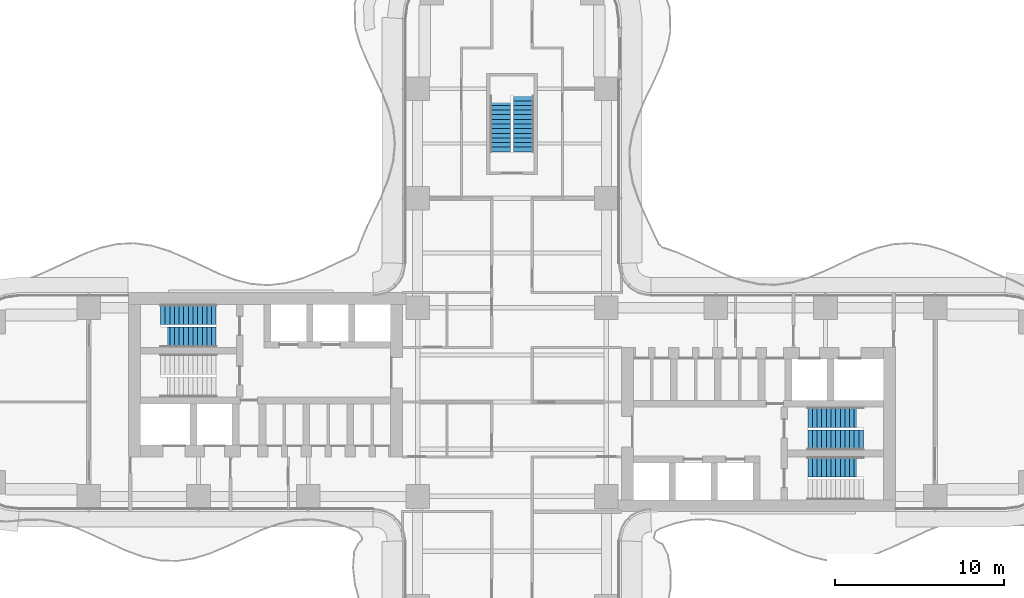
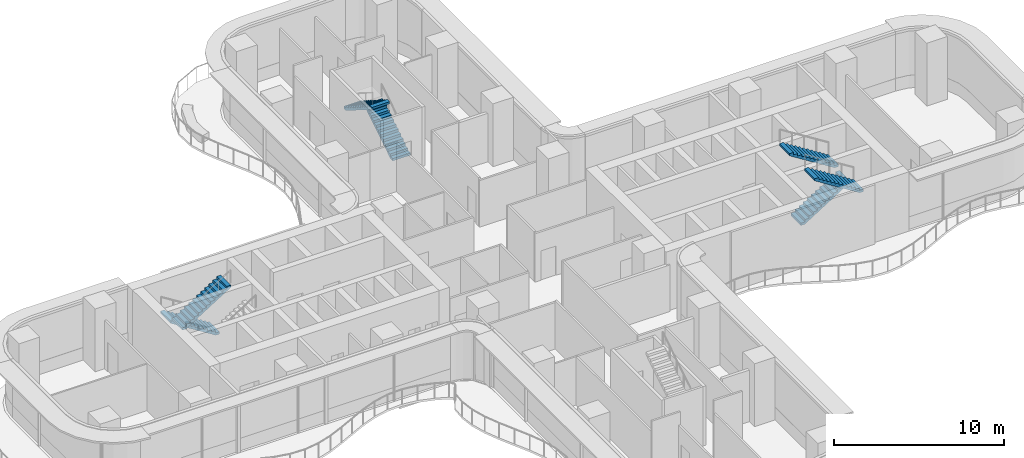
# One storey, part 21 of 23: 7 stair flights, 4 elements without a shape of their own.
"""IFC4 building model written with IfcOpenShell, lengths in metres."""

from ifc_helpers import new_model, si_unit, direction, frame, origin, place, context, subcontext, project, spatial, polyline, outline, extrude, source, transform, mapped, material, type_object, element, aggregate, save


model = new_model("IFC4")

# Units and contexts
model_context = context("Model", 3, precision=1e-05, world=origin(), true_north=direction((0.0, 1.0)))
body_context = subcontext(model_context, "Body", "Model", "MODEL_VIEW")
ifc_project = project(units=[si_unit("LENGTHUNIT", "METRE"), si_unit("AREAUNIT", "SQUARE_METRE"), si_unit("VOLUMEUNIT", "CUBIC_METRE"), si_unit("PLANEANGLEUNIT", "RADIAN"), si_unit("MASSUNIT", "GRAM", prefix="KILO")], contexts=[model_context])

# Site, building, storey
site_placement = place(None, origin())
site = spatial("IfcSite", under=ifc_project, at=site_placement, CompositionType="ELEMENT")
building_placement = place(site_placement, origin())
building = spatial("IfcBuilding", under=site, at=building_placement, Name="Trellis Farm Tower", CompositionType="ELEMENT")
storey_placement = place(building_placement, frame((0.0, 0.0, 83.5)))
storey = spatial("IfcBuildingStorey", under=building, at=storey_placement, Name="L17", CompositionType="ELEMENT", Elevation=83.5)

# Stair, stair flights
ifc_material = material(Name="Concrete C50/60", Category="concrete")
stair_type = type_object("IfcStairType", Name="CORE EXIT STAIR 26 RISERS 173 MM", PredefinedType="HALF_TURN_STAIR", material=ifc_material)
placement = place(storey_placement, origin())
stair_1 = element("IfcStair", 1, at=placement, inside=storey, type_object=stair_type, Name="Exit stair N", PredefinedType="HALF_TURN_STAIR")
stair_flight_type = type_object("IfcStairFlightType", Name="STAIR FLIGHT 13 RISERS 173 MM", PredefinedType="STRAIGHT", material=ifc_material)
shared_shape = source(origin(), body_context, "Body", "SweptSolid", [
    extrude(outline(polyline([(0.0, 0.0), (0.0, 0.173095703125), (0.27490234375, 0.173095703125), (0.27490234375, 0.34619140625), (0.550048828125, 0.34619140625), (0.550048828125, 0.519287109375), (0.824951171875, 0.519287109375), (0.824951171875, 0.6923828125), (1.10009765625, 0.6923828125), (1.10009765625, 0.865478515625), (1.375, 0.865478515625), (1.375, 1.03857421875), (1.64990234375, 1.03857421875), (1.64990234375, 1.21142578125), (1.925048828125, 1.21142578125), (1.925048828125, 1.384521484375), (2.199951171875, 1.384521484375), (2.199951171875, 1.5576171875), (2.47509765625, 1.5576171875), (2.47509765625, 1.730712890625), (2.75, 1.730712890625), (2.75, 1.90380859375), (3.02490234375, 1.90380859375), (3.02490234375, 2.076904296875), (3.300048828125, 2.076904296875), (3.300048828125, 2.25), (3.300048828125, 1.92333984375), (0.243896484375, 0.0), (0.0, 0.0)])), frame((0.0, 0.60009765625, 0.0), z_axis=(0.0, -1.0, 0.0), x_axis=(1.0, 0.0, 0.0)), (0.0, 0.0, 1.0), 1.199951171875),
])
stair_flight_1_placement = place(storey_placement, frame((0.699951171875, 14.85009765625, 0.0), z_axis=(0.0, 0.0, 1.0), x_axis=(0.0, 1.0, 0.0)))
stair_flight_1 = element("IfcStairFlight", 2, at=stair_flight_1_placement, type_object=stair_flight_type, Name="STN flight 1", NumberOfRisers=13, NumberOfTreads=12, PredefinedType="STRAIGHT", RiserHeight=0.173076923, TreadLength=0.275, context=body_context, shape_type="MappedRepresentation", body=[
    mapped(shared_shape, transform((0.0, 0.0, 0.0))),
])
stair_flight_2_placement = place(storey_placement, frame((-0.699951171875, 18.14990234375, 2.25), z_axis=(0.0, 0.0, 1.0), x_axis=(0.0, -1.0, 0.0)))
stair_flight_2 = element("IfcStairFlight", 3, at=stair_flight_2_placement, type_object=stair_flight_type, Name="STN flight 2", NumberOfRisers=13, NumberOfTreads=12, PredefinedType="STRAIGHT", RiserHeight=0.173076923, TreadLength=0.275, context=body_context, shape_type="MappedRepresentation", body=[
    mapped(shared_shape, transform((0.0, 0.0, 0.0))),
])
aggregate(stair_1, [stair_flight_1, stair_flight_2])

# Stair, stair flight
stair_2 = element("IfcStair", 4, at=placement, inside=storey, type_object=stair_type, Name="Exit stair E1", PredefinedType="HALF_TURN_STAIR")
stair_flight_3_placement = place(storey_placement, frame((20.85009765625, -3.85009765625, 2.25), z_axis=(0.0, 0.0, 1.0), x_axis=(-1.0, 0.0, 0.0)))
stair_flight_3 = element("IfcStairFlight", 5, at=stair_flight_3_placement, type_object=stair_flight_type, Name="STE1 flight 2", NumberOfRisers=13, NumberOfTreads=12, PredefinedType="STRAIGHT", RiserHeight=0.173076923, TreadLength=0.275, context=body_context, shape_type="MappedRepresentation", body=[
    mapped(shared_shape, transform((0.0, 0.0, 0.0))),
])
aggregate(stair_2, [stair_flight_3])

# Stair, stair flights
stair_3 = element("IfcStair", 6, at=placement, inside=storey, type_object=stair_type, Name="Exit stair E2", PredefinedType="HALF_TURN_STAIR")
stair_flight_4_placement = place(storey_placement, frame((17.550048828125, -2.25, 0.0), z_axis=(0.0, 0.0, 1.0), x_axis=(1.0, 0.0, 0.0)))
stair_flight_4 = element("IfcStairFlight", 7, at=stair_flight_4_placement, type_object=stair_flight_type, Name="STE2 flight 1", NumberOfRisers=13, NumberOfTreads=12, PredefinedType="STRAIGHT", RiserHeight=0.173076923, TreadLength=0.275, context=body_context, shape_type="MappedRepresentation", body=[
    mapped(shared_shape, transform((0.0, 0.0, 0.0))),
])
stair_flight_5_placement = place(storey_placement, frame((20.85009765625, -0.89990234375, 2.25), z_axis=(0.0, 0.0, 1.0), x_axis=(-1.0, 0.0, 0.0)))
stair_flight_5 = element("IfcStairFlight", 8, at=stair_flight_5_placement, type_object=stair_flight_type, Name="STE2 flight 2", NumberOfRisers=13, NumberOfTreads=12, PredefinedType="STRAIGHT", RiserHeight=0.173076923, TreadLength=0.275, context=body_context, shape_type="MappedRepresentation", body=[
    mapped(shared_shape, transform((0.0, 0.0, 0.0))),
])
aggregate(stair_3, [stair_flight_4, stair_flight_5])

stair_4 = element("IfcStair", 9, at=placement, inside=storey, type_object=stair_type, Name="Exit stair W1", PredefinedType="HALF_TURN_STAIR")
stair_flight_6_placement = place(storey_placement, frame((-17.550048828125, 5.199951171875, 0.0), z_axis=(0.0, 0.0, 1.0), x_axis=(-1.0, 0.0, 0.0)))
stair_flight_6 = element("IfcStairFlight", 10, at=stair_flight_6_placement, type_object=stair_flight_type, Name="STW1 flight 1", NumberOfRisers=13, NumberOfTreads=12, PredefinedType="STRAIGHT", RiserHeight=0.173076923, TreadLength=0.275, context=body_context, shape_type="MappedRepresentation", body=[
    mapped(shared_shape, transform((0.0, 0.0, 0.0))),
])
stair_flight_7_placement = place(storey_placement, frame((-20.85009765625, 3.85009765625, 2.25), z_axis=(0.0, 0.0, 1.0), x_axis=(1.0, 0.0, 0.0)))
stair_flight_7 = element("IfcStairFlight", 11, at=stair_flight_7_placement, type_object=stair_flight_type, Name="STW1 flight 2", NumberOfRisers=13, NumberOfTreads=12, PredefinedType="STRAIGHT", RiserHeight=0.173076923, TreadLength=0.275, context=body_context, shape_type="MappedRepresentation", body=[
    mapped(shared_shape, transform((0.0, 0.0, 0.0))),
])
aggregate(stair_4, [stair_flight_6, stair_flight_7])

save(model, "model.ifc")
